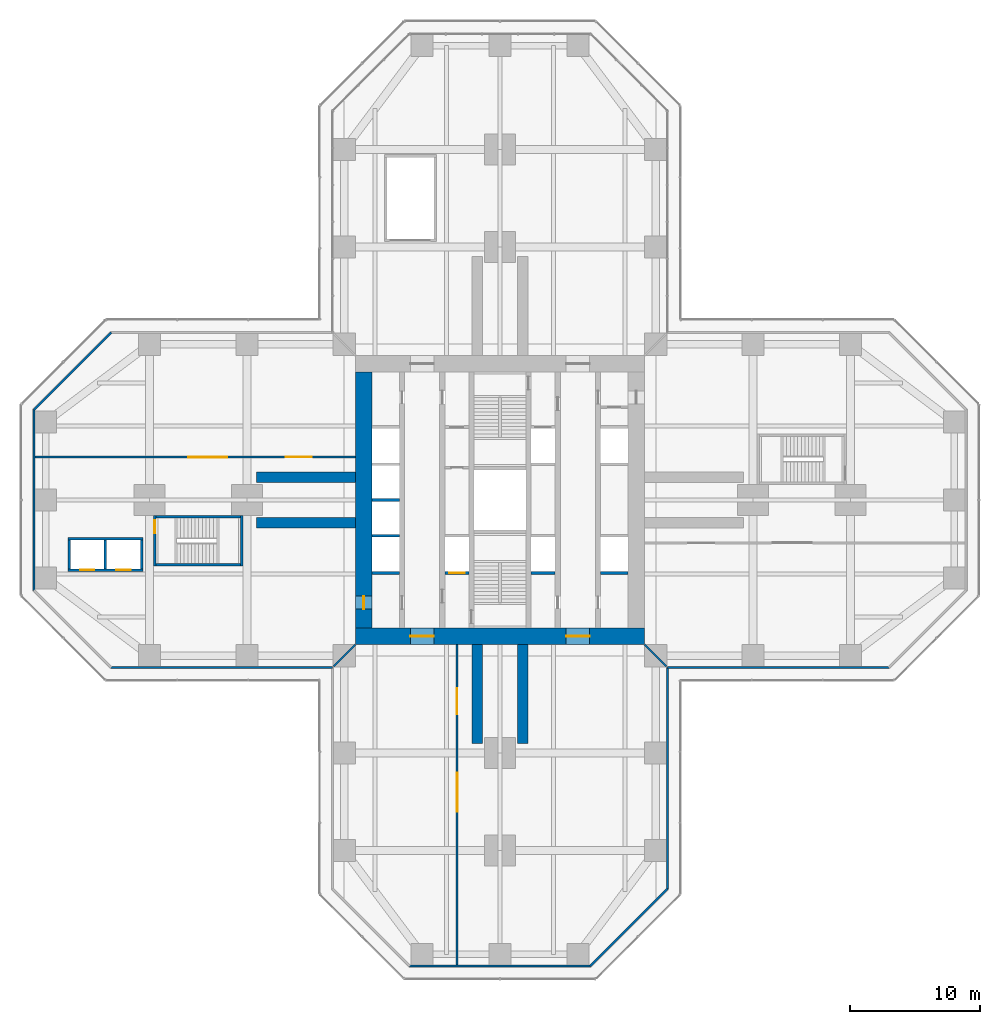
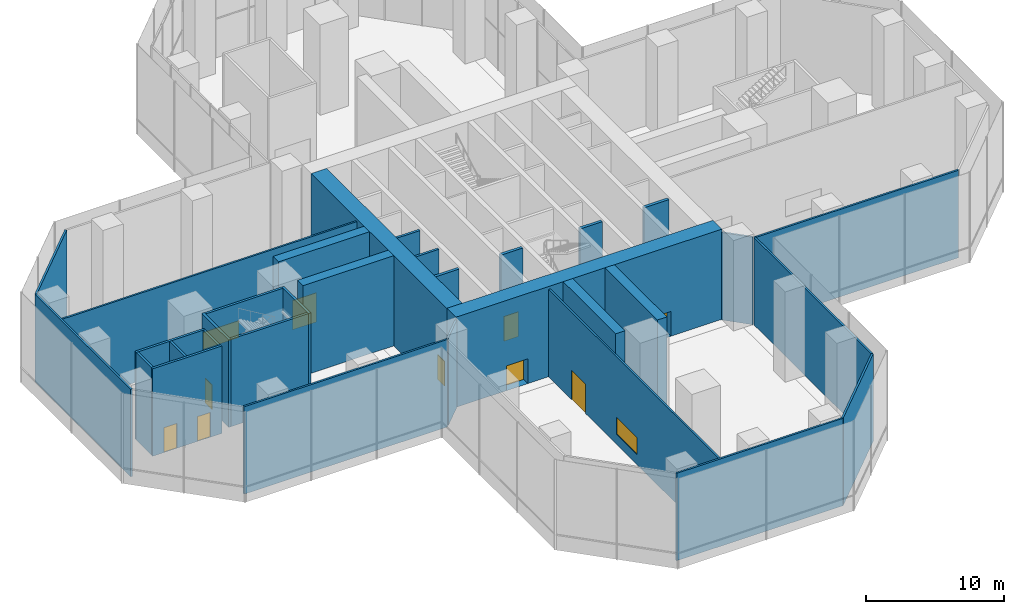
# One storey, part 17 of 25: 32 walls, 9 doors, 2 windows, 11 openings.
"""IFC4 building model written with IfcOpenShell, lengths in metres."""

from ifc_helpers import new_model, si_unit, direction, frame, frame_2d, origin, place, context, subcontext, project, spatial, rectangle, extrude, material, layer, layer_set, type_object, element, fill, save


model = new_model("IFC4")

# Units and contexts
model_context = context("Model", 3, precision=1e-05, world=origin(), true_north=direction((0.0, 1.0)))
body_context = subcontext(model_context, "Body", "Model", "MODEL_VIEW")
ifc_project = project(units=[si_unit("LENGTHUNIT", "METRE"), si_unit("AREAUNIT", "SQUARE_METRE"), si_unit("VOLUMEUNIT", "CUBIC_METRE"), si_unit("PLANEANGLEUNIT", "RADIAN"), si_unit("MASSUNIT", "GRAM", prefix="KILO")], contexts=[model_context])

# Site, building, storey
site_placement = place(None, origin())
site = spatial("IfcSite", under=ifc_project, at=site_placement, CompositionType="ELEMENT")
building_placement = place(site_placement, origin())
building = spatial("IfcBuilding", under=site, at=building_placement, Name="Mizan Broadcast Tower", CompositionType="ELEMENT")
storey_placement = place(building_placement, frame((0.0, 0.0, 7.0)))
storey = spatial("IfcBuildingStorey", under=building, at=storey_placement, Name="L01", CompositionType="ELEMENT", Elevation=7.0)

# Wall, openings, doors
ifc_material_1 = material(Name="Concrete C70/85", Category="concrete")
ifc_layer_1 = layer(ifc_material_1, 1.300048828125)
ifc_layer_set_1 = layer_set([ifc_layer_1], Name="Concrete C70/85")
wall_type_1 = type_object("IfcWallType", Name="CORE WALL 1300", PredefinedType="SHEAR", material=ifc_layer_set_1)
wall_1_placement = place(storey_placement, frame((11.14990234375, -10.5, 0.0), z_axis=(0.0, 0.0, 1.0), x_axis=(-1.0, 0.0, 0.0)))
wall_1 = element("IfcWall", 1, at=wall_1_placement, inside=storey, type_object=wall_type_1, Name="Core wall S L01", PredefinedType="SHEAR", context=body_context, shape_type="SweptSolid", body=[
    extrude(rectangle(XDim=22.2998046875, YDim=1.300048828125, at=frame_2d((11.14990234375, 0.0))), origin(), (0.0, 0.0, 1.0), 8.0),
])
opening_1_placement = place(wall_1_placement, frame((16.25, 0.0, 0.0)))
opening_1 = element("IfcOpeningElement", 2, at=opening_1_placement, cuts=wall_1, Name="Opening D18F", PredefinedType="OPENING", context=body_context, shape_type="SweptSolid", body=[
    extrude(rectangle(XDim=1.800048828125, YDim=2.199951171875, at=frame_2d((0.89990234375, 1.10009765625))), frame((0.0, 0.659912109375, 0.0), z_axis=(0.0, -1.0, 0.0), x_axis=(1.0, 0.0, 0.0)), (0.0, 0.0, 1.0), 1.320068359375),
])
opening_2_placement = place(wall_1_placement, frame((4.25, 0.0, 0.0)))
opening_2 = element("IfcOpeningElement", 3, at=opening_2_placement, cuts=wall_1, Name="Opening D18F", PredefinedType="OPENING", context=body_context, shape_type="SweptSolid", body=[
    extrude(rectangle(XDim=1.800048828125, YDim=2.199951171875, at=frame_2d((0.89990234375, 1.10009765625))), frame((0.0, 0.659912109375, 0.0), z_axis=(0.0, -1.0, 0.0), x_axis=(1.0, 0.0, 0.0)), (0.0, 0.0, 1.0), 1.320068359375),
])
ifc_material_2 = material(Name="Steel door leaf in steel frame", Category="steel")
door_type_1 = type_object("IfcDoorType", Name="LOBBY DOUBLE DOOR 1800 FD90", OperationType="DOUBLE_DOOR_DOUBLE_SWING", PredefinedType="DOOR", material=ifc_material_2)
door_1_placement = place(opening_1_placement, origin())
door_1 = element("IfcDoor", 4, at=door_1_placement, inside=storey, type_object=door_type_1, Name="West lift lobby south door", OperationType="DOUBLE_DOOR_DOUBLE_SWING", OverallHeight=2.199951171875, OverallWidth=1.800048828125, PredefinedType="DOOR", context=body_context, shape_type="SweptSolid", body=[
    extrude(rectangle(XDim=1.800048828125, YDim=2.199951171875, at=frame_2d((0.89990234375, 1.10009765625))), frame((0.0, 0.02490234375, 0.0), z_axis=(0.0, -1.0, 0.0), x_axis=(1.0, 0.0, 0.0)), (0.0, 0.0, 1.0), 0.050048828125),
])
fill(opening_1, door_1)
door_2_placement = place(opening_2_placement, origin())
door_2 = element("IfcDoor", 5, at=door_2_placement, inside=storey, type_object=door_type_1, Name="East lift lobby south door", OperationType="DOUBLE_DOOR_DOUBLE_SWING", OverallHeight=2.199951171875, OverallWidth=1.800048828125, PredefinedType="DOOR", context=body_context, shape_type="SweptSolid", body=[
    extrude(rectangle(XDim=1.800048828125, YDim=2.199951171875, at=frame_2d((0.89990234375, 1.10009765625))), frame((0.0, 0.02490234375, 0.0), z_axis=(0.0, -1.0, 0.0), x_axis=(1.0, 0.0, 0.0)), (0.0, 0.0, 1.0), 0.050048828125),
])
fill(opening_2, door_2)

# Wall, opening, door
wall_2_placement = place(storey_placement, frame((-10.5, 9.85009765625, 0.0), z_axis=(0.0, 0.0, 1.0), x_axis=(0.0, -1.0, 0.0)))
wall_2 = element("IfcWall", 6, at=wall_2_placement, inside=storey, type_object=wall_type_1, Name="Core wall W L01", PredefinedType="SHEAR", context=body_context, shape_type="SweptSolid", body=[
    extrude(rectangle(XDim=19.7001953125, YDim=1.300048828125, at=frame_2d((9.85009765625, 0.0))), origin(), (0.0, 0.0, 1.0), 8.0),
])
opening_3_placement = place(wall_2_placement, frame((17.25, 0.0, 0.0)))
opening_3 = element("IfcOpeningElement", 7, at=opening_3_placement, cuts=wall_2, Name="Opening D10F", PredefinedType="OPENING", context=body_context, shape_type="SweptSolid", body=[
    extrude(rectangle(XDim=1.0, YDim=2.199951171875, at=frame_2d((0.5, 1.10009765625))), frame((0.0, 0.659912109375, 0.0), z_axis=(0.0, -1.0, 0.0), x_axis=(1.0, 0.0, 0.0)), (0.0, 0.0, 1.0), 1.320068359375),
])
ifc_material_3 = material(Name="Steel door leaf in steel frame", Category="steel")
door_type_2 = type_object("IfcDoorType", Name="FIRE DOOR 1000 FD90", OperationType="SINGLE_SWING_LEFT", PredefinedType="DOOR", material=ifc_material_3)
door_3_placement = place(opening_3_placement, origin())
door_3 = element("IfcDoor", 8, at=door_3_placement, inside=storey, type_object=door_type_2, Name="West core passage arm door", OperationType="SINGLE_SWING_RIGHT", OverallHeight=2.199951171875, OverallWidth=1.0, PredefinedType="DOOR", context=body_context, shape_type="SweptSolid", body=[
    extrude(rectangle(XDim=1.0, YDim=2.199951171875, at=frame_2d((0.5, 1.10009765625))), frame((0.0, 0.02490234375, 0.0), z_axis=(0.0, -1.0, 0.0), x_axis=(1.0, 0.0, 0.0)), (0.0, 0.0, 1.0), 0.050048828125),
])
fill(opening_3, door_3)

# Walls
ifc_material_4 = material(Name="Concrete blockwork", Category="masonry")
ifc_layer_2 = layer(ifc_material_4, 0.199951171875)
ifc_layer_set_2 = layer_set([ifc_layer_2], Name="Concrete blockwork")
wall_type_2 = type_object("IfcWallType", Name="LIFT SHAFT WALL 200", PredefinedType="SOLIDWALL", material=ifc_layer_set_2)
for number, where, z_axis, x_axis, name in (
    (9, (-9.85009765625, -2.75, 0.0), (0.0, 0.0, 1.0), (1.0, 0.0, 0.0), "Lift shaft wall CORE/SW1-1"),
    (10, (-9.85009765625, 0.0, 0.0), (0.0, 0.0, 1.0), (1.0, 0.0, 0.0), "Lift shaft wall CORE/SW1-2"),
):
    element("IfcWall", number, at=place(storey_placement, frame(where, z_axis=z_axis, x_axis=x_axis)), inside=storey, type_object=wall_type_2, Name=name, PredefinedType="SOLIDWALL", context=body_context, shape_type="SweptSolid", body=[
        extrude(rectangle(XDim=2.10009765625, YDim=0.199951171875, at=frame_2d((1.050048828125, 0.0))), origin(), (0.0, 0.0, 1.0), 7.800048828125),
    ])
wall_3_placement = place(storey_placement, frame((-27.5, -3.0, 0.0), z_axis=(0.0, 0.0, 1.0), x_axis=(-1.0, 0.0, 0.0)))
element("IfcWall", 11, at=wall_3_placement, inside=storey, type_object=wall_type_2, Name="Lift shaft wall PLS/V0", PredefinedType="SOLIDWALL", context=body_context, shape_type="SweptSolid", body=[
    extrude(rectangle(XDim=5.800048828125, YDim=0.199951171875, at=frame_2d((2.89990234375, 0.0))), origin(), (0.0, 0.0, 1.0), 7.75),
])

# Wall, openings, doors
wall_4_placement = place(storey_placement, frame((-33.300048828125, -5.39990234375, 0.0), z_axis=(0.0, 0.0, 1.0), x_axis=(1.0, 0.0, 0.0)))
wall_4 = element("IfcWall", 12, at=wall_4_placement, inside=storey, type_object=wall_type_2, Name="Lift shaft wall PLS/V1", PredefinedType="SOLIDWALL", context=body_context, shape_type="SweptSolid", body=[
    extrude(rectangle(XDim=5.800048828125, YDim=0.199951171875, at=frame_2d((2.89990234375, 0.0))), origin(), (0.0, 0.0, 1.0), 7.75),
])
opening_4_placement = place(wall_4_placement, frame((3.75, 0.0, 0.0)))
opening_4 = element("IfcOpeningElement", 13, at=opening_4_placement, cuts=wall_4, Name="Opening LDP", PredefinedType="OPENING", context=body_context, shape_type="SweptSolid", body=[
    extrude(rectangle(XDim=1.10009765625, YDim=2.199951171875, at=frame_2d((0.550048828125, 1.10009765625))), frame((0.0, 0.10986328125, 0.0), z_axis=(0.0, -1.0, 0.0), x_axis=(1.0, 0.0, 0.0)), (0.0, 0.0, 1.0), 0.219970703125),
])
opening_5_placement = place(wall_4_placement, frame((0.949951171875, 0.0, 0.0)))
opening_5 = element("IfcOpeningElement", 14, at=opening_5_placement, cuts=wall_4, Name="Opening LDP", PredefinedType="OPENING", context=body_context, shape_type="SweptSolid", body=[
    extrude(rectangle(XDim=1.10009765625, YDim=2.199951171875, at=frame_2d((0.550048828125, 1.10009765625))), frame((0.0, 0.10986328125, 0.0), z_axis=(0.0, -1.0, 0.0), x_axis=(1.0, 0.0, 0.0)), (0.0, 0.0, 1.0), 0.219970703125),
])
ifc_material_5 = material(Name="Steel door leaf in steel frame", Category="steel")
door_type_3 = type_object("IfcDoorType", Name="PODIUM LIFT LANDING DOOR 1100", OperationType="SLIDING_TO_LEFT", PredefinedType="DOOR", material=ifc_material_5)
door_4_placement = place(opening_4_placement, origin())
door_4 = element("IfcDoor", 15, at=door_4_placement, inside=storey, type_object=door_type_3, Name="Landing door PL1", OperationType="SLIDING_TO_LEFT", OverallHeight=2.199951171875, OverallWidth=1.10009765625, PredefinedType="DOOR", context=body_context, shape_type="SweptSolid", body=[
    extrude(rectangle(XDim=1.10009765625, YDim=2.199951171875, at=frame_2d((0.550048828125, 1.10009765625))), frame((0.0, 0.02490234375, 0.0), z_axis=(0.0, -1.0, 0.0), x_axis=(1.0, 0.0, 0.0)), (0.0, 0.0, 1.0), 0.050048828125),
])
fill(opening_4, door_4)
door_5_placement = place(opening_5_placement, origin())
door_5 = element("IfcDoor", 16, at=door_5_placement, inside=storey, type_object=door_type_3, Name="Landing door PL2", OperationType="SLIDING_TO_LEFT", OverallHeight=2.199951171875, OverallWidth=1.10009765625, PredefinedType="DOOR", context=body_context, shape_type="SweptSolid", body=[
    extrude(rectangle(XDim=1.10009765625, YDim=2.199951171875, at=frame_2d((0.550048828125, 1.10009765625))), frame((0.0, 0.02490234375, 0.0), z_axis=(0.0, -1.0, 0.0), x_axis=(1.0, 0.0, 0.0)), (0.0, 0.0, 1.0), 0.050048828125),
])
fill(opening_5, door_5)

# Walls
for number, where, z_axis, x_axis, name in (
    (17, (-27.60009765625, -3.10009765625, 0.0), (0.0, 0.0, 1.0), (0.0, -1.0, 0.0), "Lift shaft wall PLS/U0"),
    (18, (-30.39990234375, -3.10009765625, 0.0), (0.0, 0.0, 1.0), (0.0, -1.0, 0.0), "Lift shaft wall PLS/U1"),
    (19, (-33.199951171875, -3.10009765625, 0.0), (0.0, 0.0, 1.0), (0.0, -1.0, 0.0), "Lift shaft wall PLS/U2"),
):
    element("IfcWall", number, at=place(storey_placement, frame(where, z_axis=z_axis, x_axis=x_axis)), inside=storey, type_object=wall_type_2, Name=name, PredefinedType="SOLIDWALL", context=body_context, shape_type="SweptSolid", body=[
        extrude(rectangle(XDim=2.199951171875, YDim=0.199951171875, at=frame_2d((1.10009765625, 0.0))), origin(), (0.0, 0.0, 1.0), 7.75),
    ])
ifc_material_6 = material(Name="Concrete blockwork", Category="masonry")
ifc_layer_3 = layer(ifc_material_6, 0.25)
ifc_layer_set_3 = layer_set([ifc_layer_3], Name="Concrete blockwork")
wall_type_3 = type_object("IfcWallType", Name="LOBBY ENCLOSURE WALL 250", PredefinedType="SOLIDWALL", material=ifc_layer_set_3)
wall_5_placement = place(storey_placement, frame((-9.85009765625, -5.625, 0.0), z_axis=(0.0, 0.0, 1.0), x_axis=(1.0, 0.0, 0.0)))
element("IfcWall", 20, at=wall_5_placement, inside=storey, type_object=wall_type_3, Name="Lobby enclosure wall CORE/BW1S", PredefinedType="SOLIDWALL", context=body_context, shape_type="SweptSolid", body=[
    extrude(rectangle(XDim=2.10009765625, YDim=0.25, at=frame_2d((1.050048828125, 0.0))), origin(), (0.0, 0.0, 1.0), 7.800048828125),
])

# Wall, opening, door
wall_6_placement = place(storey_placement, frame((-4.25, -5.625, 0.0), z_axis=(0.0, 0.0, 1.0), x_axis=(1.0, 0.0, 0.0)))
wall_6 = element("IfcWall", 21, at=wall_6_placement, inside=storey, type_object=wall_type_3, Name="Lobby enclosure wall CORE/BW2S", PredefinedType="SOLIDWALL", context=body_context, shape_type="SweptSolid", body=[
    extrude(rectangle(XDim=1.85009765625, YDim=0.25, at=frame_2d((0.925048828125, 0.0))), origin(), (0.0, 0.0, 1.0), 7.800048828125),
])
opening_6_placement = place(wall_6_placement, frame((0.324951171875, 0.0, 0.0)))
opening_6 = element("IfcOpeningElement", 22, at=opening_6_placement, cuts=wall_6, Name="Opening LDF", PredefinedType="OPENING", context=body_context, shape_type="SweptSolid", body=[
    extrude(rectangle(XDim=1.199951171875, YDim=2.199951171875, at=frame_2d((0.60009765625, 1.10009765625))), frame((0.0, 0.135009765625, 0.0), z_axis=(0.0, -1.0, 0.0), x_axis=(1.0, 0.0, 0.0)), (0.0, 0.0, 1.0), 0.27001953125),
])
ifc_material_7 = material(Name="Steel door leaf in steel frame", Category="steel")
door_type_4 = type_object("IfcDoorType", Name="FIREFIGHTING LIFT LANDING DOOR 1200", OperationType="SLIDING_TO_LEFT", PredefinedType="DOOR", material=ifc_material_7)
door_6_placement = place(opening_6_placement, origin())
door_6 = element("IfcDoor", 23, at=door_6_placement, inside=storey, type_object=door_type_4, Name="Landing door FF1", OperationType="SLIDING_TO_LEFT", OverallHeight=2.199951171875, OverallWidth=1.199951171875, PredefinedType="DOOR", context=body_context, shape_type="SweptSolid", body=[
    extrude(rectangle(XDim=1.199951171875, YDim=2.199951171875, at=frame_2d((0.60009765625, 1.10009765625))), frame((0.0, 0.02490234375, 0.0), z_axis=(0.0, -1.0, 0.0), x_axis=(1.0, 0.0, 0.0)), (0.0, 0.0, 1.0), 0.050048828125),
])
fill(opening_6, door_6)

# Walls
wall_7_placement = place(storey_placement, frame((2.39990234375, -5.625, 0.0), z_axis=(0.0, 0.0, 1.0), x_axis=(1.0, 0.0, 0.0)))
element("IfcWall", 24, at=wall_7_placement, inside=storey, type_object=wall_type_3, Name="Lobby enclosure wall CORE/BE2S", PredefinedType="SOLIDWALL", context=body_context, shape_type="SweptSolid", body=[
    extrude(rectangle(XDim=1.85009765625, YDim=0.25, at=frame_2d((0.925048828125, 0.0))), origin(), (0.0, 0.0, 1.0), 7.800048828125),
])
wall_8_placement = place(storey_placement, frame((7.75, -5.625, 0.0), z_axis=(0.0, 0.0, 1.0), x_axis=(1.0, 0.0, 0.0)))
element("IfcWall", 25, at=wall_8_placement, inside=storey, type_object=wall_type_3, Name="Lobby enclosure wall CORE/BE1S", PredefinedType="SOLIDWALL", context=body_context, shape_type="SweptSolid", body=[
    extrude(rectangle(XDim=2.10009765625, YDim=0.25, at=frame_2d((1.050048828125, 0.0))), origin(), (0.0, 0.0, 1.0), 7.800048828125),
])

# Wall, openings, door, window
ifc_material_8 = material(Name="Gypsum board on steel studs", Category="steel")
ifc_layer_4 = layer(ifc_material_8, 0.14990234375)
ifc_layer_set_4 = layer_set([ifc_layer_4], Name="Gypsum board on steel studs")
wall_type_4 = type_object("IfcWallType", Name="PARTITION 150", PredefinedType="PARTITIONING", material=ifc_layer_set_4)
wall_9_placement = place(storey_placement, frame((-11.14990234375, 3.300048828125, 0.0), z_axis=(0.0, 0.0, 1.0), x_axis=(-1.0, 0.0, 0.0)))
wall_9 = element("IfcWall", 26, at=wall_9_placement, inside=storey, type_object=wall_type_4, Name="Partition PT/WS", PredefinedType="PARTITIONING", context=body_context, shape_type="SweptSolid", body=[
    extrude(rectangle(XDim=24.670166015625, YDim=0.14990234375, at=frame_2d((12.3349609375, 0.0))), origin(), (0.0, 0.0, 1.0), 7.75),
])
opening_7_placement = place(wall_9_placement, frame((3.35009765625, 0.0, 0.0)))
opening_7 = element("IfcOpeningElement", 27, at=opening_7_placement, cuts=wall_9, Name="Opening D20", PredefinedType="OPENING", context=body_context, shape_type="SweptSolid", body=[
    extrude(rectangle(XDim=2.0, YDim=2.60009765625, at=frame_2d((1.0, 1.300048828125))), frame((0.0, 0.0849609375, 0.0), z_axis=(0.0, -1.0, 0.0), x_axis=(1.0, 0.0, 0.0)), (0.0, 0.0, 1.0), 0.169921875),
])
opening_8_placement = place(wall_9_placement, frame((9.85009765625, 0.0, 0.89990234375)))
opening_8 = element("IfcOpeningElement", 28, at=opening_8_placement, cuts=wall_9, Name="Opening W01", PredefinedType="OPENING", context=body_context, shape_type="SweptSolid", body=[
    extrude(rectangle(XDim=3.0, YDim=1.5, at=frame_2d((1.5, 0.75))), frame((0.0, 0.0849609375, 0.0), z_axis=(0.0, -1.0, 0.0), x_axis=(1.0, 0.0, 0.0)), (0.0, 0.0, 1.0), 0.169921875),
])
ifc_material_9 = material(Name="Timber door leaf in aluminium frame", Category="wood")
door_type_5 = type_object("IfcDoorType", Name="STUDIO DOUBLE DOOR 2000", OperationType="DOUBLE_DOOR_DOUBLE_SWING", PredefinedType="DOOR", material=ifc_material_9)
door_7_placement = place(opening_7_placement, origin())
door_7 = element("IfcDoor", 29, at=door_7_placement, inside=storey, type_object=door_type_5, Name="Studio B door", OperationType="DOUBLE_DOOR_DOUBLE_SWING", OverallHeight=2.60009765625, OverallWidth=2.0, PredefinedType="DOOR", context=body_context, shape_type="SweptSolid", body=[
    extrude(rectangle(XDim=2.0, YDim=2.60009765625, at=frame_2d((1.0, 1.300048828125))), frame((0.0, 0.02490234375, 0.0), z_axis=(0.0, -1.0, 0.0), x_axis=(1.0, 0.0, 0.0)), (0.0, 0.0, 1.0), 0.050048828125),
])
fill(opening_7, door_7)
ifc_material_10 = material(Name="Acoustic laminated triple glazing in steel frame", Category="steel")
window_type = type_object("IfcWindowType", Name="STUDIO OBSERVATION WINDOW 3000x1500", PartitioningType="SINGLE_PANEL", PredefinedType="WINDOW", material=ifc_material_10)
window_1_placement = place(opening_8_placement, origin())
window_1 = element("IfcWindow", 30, at=window_1_placement, inside=storey, type_object=window_type, Name="Studio B observation window", OverallHeight=1.5, OverallWidth=3.0, PartitioningType="SINGLE_PANEL", PredefinedType="WINDOW", context=body_context, shape_type="SweptSolid", body=[
    extrude(rectangle(XDim=3.0, YDim=1.5, at=frame_2d((1.5, 0.75))), frame((0.0, 0.030029296875, 0.0), z_axis=(0.0, -1.0, 0.0), x_axis=(1.0, 0.0, 0.0)), (0.0, 0.0, 1.0), 0.06005859375),
])
fill(opening_8, window_1)

wall_10_placement = place(storey_placement, frame((-3.300048828125, -11.14990234375, 0.0), z_axis=(0.0, 0.0, 1.0), x_axis=(0.0, -1.0, 0.0)))
wall_10 = element("IfcWall", 31, at=wall_10_placement, inside=storey, type_object=wall_type_4, Name="Partition PT/SS", PredefinedType="PARTITIONING", context=body_context, shape_type="SweptSolid", body=[
    extrude(rectangle(XDim=24.670166015625, YDim=0.14990234375, at=frame_2d((12.3349609375, 0.0))), origin(), (0.0, 0.0, 1.0), 7.75),
])
opening_9_placement = place(wall_10_placement, frame((3.35009765625, 0.0, 0.0)))
opening_9 = element("IfcOpeningElement", 32, at=opening_9_placement, cuts=wall_10, Name="Opening D20", PredefinedType="OPENING", context=body_context, shape_type="SweptSolid", body=[
    extrude(rectangle(XDim=2.0, YDim=2.60009765625, at=frame_2d((1.0, 1.300048828125))), frame((0.0, 0.0849609375, 0.0), z_axis=(0.0, -1.0, 0.0), x_axis=(1.0, 0.0, 0.0)), (0.0, 0.0, 1.0), 0.169921875),
])
opening_10_placement = place(wall_10_placement, frame((9.85009765625, 0.0, 0.89990234375)))
opening_10 = element("IfcOpeningElement", 33, at=opening_10_placement, cuts=wall_10, Name="Opening W01", PredefinedType="OPENING", context=body_context, shape_type="SweptSolid", body=[
    extrude(rectangle(XDim=3.0, YDim=1.5, at=frame_2d((1.5, 0.75))), frame((0.0, 0.0849609375, 0.0), z_axis=(0.0, -1.0, 0.0), x_axis=(1.0, 0.0, 0.0)), (0.0, 0.0, 1.0), 0.169921875),
])
door_8_placement = place(opening_9_placement, origin())
door_8 = element("IfcDoor", 34, at=door_8_placement, inside=storey, type_object=door_type_5, Name="News studio C door", OperationType="DOUBLE_DOOR_DOUBLE_SWING", OverallHeight=2.60009765625, OverallWidth=2.0, PredefinedType="DOOR", context=body_context, shape_type="SweptSolid", body=[
    extrude(rectangle(XDim=2.0, YDim=2.60009765625, at=frame_2d((1.0, 1.300048828125))), frame((0.0, 0.02490234375, 0.0), z_axis=(0.0, -1.0, 0.0), x_axis=(1.0, 0.0, 0.0)), (0.0, 0.0, 1.0), 0.050048828125),
])
fill(opening_9, door_8)
window_2_placement = place(opening_10_placement, origin())
window_2 = element("IfcWindow", 35, at=window_2_placement, inside=storey, type_object=window_type, Name="News studio C observation window", OverallHeight=1.5, OverallWidth=3.0, PartitioningType="SINGLE_PANEL", PredefinedType="WINDOW", context=body_context, shape_type="SweptSolid", body=[
    extrude(rectangle(XDim=3.0, YDim=1.5, at=frame_2d((1.5, 0.75))), frame((0.0, 0.030029296875, 0.0), z_axis=(0.0, -1.0, 0.0), x_axis=(1.0, 0.0, 0.0)), (0.0, 0.0, 1.0), 0.06005859375),
])
fill(opening_10, window_2)

# Walls
for number, where, z_axis, x_axis, name in (
    (36, (-11.14990234375, -11.14990234375, 0.0), (0.0, 0.0, 1.0), (-0.707106781187, -0.707106781187, 0.0), "Partition PT/DGWS"),
    (37, (11.14990234375, -11.14990234375, 0.0), (0.0, 0.0, 1.0), (0.707106781187, -0.707106781187, 0.0), "Partition PT/DGES"),
):
    element("IfcWall", number, at=place(storey_placement, frame(where, z_axis=z_axis, x_axis=x_axis)), inside=storey, type_object=wall_type_4, Name=name, PredefinedType="PARTITIONING", context=body_context, shape_type="SweptSolid", body=[
        extrude(rectangle(XDim=2.362060546875, YDim=0.14990234375, at=frame_2d((1.18115234375, 0.0))), origin(), (0.0, 0.0, 1.0), 7.75),
    ])
ifc_material_11 = material(Name="Concrete C70/85", Category="concrete")
ifc_layer_5 = layer(ifc_material_11, 0.800048828125)
ifc_layer_set_5 = layer_set([ifc_layer_5], Name="Concrete C70/85")
wall_type_5 = type_object("IfcWallType", Name="SPINE WALL 800", PredefinedType="SHEAR", material=ifc_layer_set_5)
for number, where, z_axis, x_axis, name in (
    (38, (-11.14990234375, 1.75, 0.0), (0.0, 0.0, 1.0), (-1.0, 0.0, 0.0), "Spine wall WR L01"),
    (39, (-11.14990234375, -1.75, 0.0), (0.0, 0.0, 1.0), (-1.0, 0.0, 0.0), "Spine wall WL L01"),
    (40, (-1.75, -11.14990234375, 0.0), (0.0, 0.0, 1.0), (0.0, -1.0, 0.0), "Spine wall SR L01"),
    (41, (1.75, -11.14990234375, 0.0), (0.0, 0.0, 1.0), (0.0, -1.0, 0.0), "Spine wall SL L01"),
):
    element("IfcWall", number, at=place(storey_placement, frame(where, z_axis=z_axis, x_axis=x_axis)), inside=storey, type_object=wall_type_5, Name=name, PredefinedType="SHEAR", context=body_context, shape_type="SweptSolid", body=[
        extrude(rectangle(XDim=7.625, YDim=0.800048828125, at=frame_2d((3.8125, 0.0))), origin(), (0.0, 0.0, 1.0), 8.0),
    ])
ifc_material_12 = material(Name="Concrete C40/50", Category="concrete")
ifc_layer_6 = layer(ifc_material_12, 0.199951171875)
ifc_layer_set_6 = layer_set([ifc_layer_6], Name="Concrete C40/50")
wall_type_6 = type_object("IfcWallType", Name="STAIR SHAFT WALL 200 RC", PredefinedType="SOLIDWALL", material=ifc_layer_set_6)
wall_11_placement = place(storey_placement, frame((-19.89990234375, -1.199951171875, 0.0), z_axis=(0.0, 0.0, 1.0), x_axis=(0.0, -1.0, 0.0)))
element("IfcWall", 42, at=wall_11_placement, inside=storey, type_object=wall_type_6, Name="Stair shaft wall PS/W/U0", PredefinedType="SOLIDWALL", context=body_context, shape_type="SweptSolid", body=[
    extrude(rectangle(XDim=3.900146484375, YDim=0.199951171875, at=frame_2d((1.9501953125, 0.0))), origin(), (0.0, 0.0, 1.0), 7.75),
])

# Wall, opening, door
wall_12_placement = place(storey_placement, frame((-26.60009765625, -5.10009765625, 0.0), z_axis=(0.0, 0.0, 1.0), x_axis=(0.0, 1.0, 0.0)))
wall_12 = element("IfcWall", 43, at=wall_12_placement, inside=storey, type_object=wall_type_6, Name="Stair shaft wall PS/W/U1", PredefinedType="SOLIDWALL", context=body_context, shape_type="SweptSolid", body=[
    extrude(rectangle(XDim=3.900146484375, YDim=0.199951171875, at=frame_2d((1.9501953125, 0.0))), origin(), (0.0, 0.0, 1.0), 7.75),
])
opening_11_placement = place(wall_12_placement, frame((2.550048828125, 0.0, 0.0)))
opening_11 = element("IfcOpeningElement", 44, at=opening_11_placement, cuts=wall_12, Name="Opening D10S", PredefinedType="OPENING", context=body_context, shape_type="SweptSolid", body=[
    extrude(rectangle(XDim=1.0, YDim=2.199951171875, at=frame_2d((0.5, 1.10009765625))), frame((0.0, 0.10986328125, 0.0), z_axis=(0.0, -1.0, 0.0), x_axis=(1.0, 0.0, 0.0)), (0.0, 0.0, 1.0), 0.219970703125),
])
ifc_material_13 = material(Name="Steel door leaf in steel frame", Category="steel")
door_type_6 = type_object("IfcDoorType", Name="STAIR DOOR 1000 FD90S", OperationType="SINGLE_SWING_RIGHT", PredefinedType="DOOR", material=ifc_material_13)
door_9_placement = place(opening_11_placement, origin())
door_9 = element("IfcDoor", 45, at=door_9_placement, inside=storey, type_object=door_type_6, Name="Stair D door", OperationType="SINGLE_SWING_RIGHT", OverallHeight=2.199951171875, OverallWidth=1.0, PredefinedType="DOOR", context=body_context, shape_type="SweptSolid", body=[
    extrude(rectangle(XDim=1.0, YDim=2.199951171875, at=frame_2d((0.5, 1.10009765625))), frame((0.0, 0.02490234375, 0.0), z_axis=(0.0, -1.0, 0.0), x_axis=(1.0, 0.0, 0.0)), (0.0, 0.0, 1.0), 0.050048828125),
])
fill(opening_11, door_9)

# Walls
for number, where, z_axis, x_axis, name in (
    (46, (-20.0, -1.300048828125, 0.0), (0.0, 0.0, 1.0), (-1.0, 0.0, 0.0), "Stair shaft wall PS/W/V0"),
    (47, (-26.5, -5.0, 0.0), (0.0, 0.0, 1.0), (1.0, 0.0, 0.0), "Stair shaft wall PS/W/V1"),
):
    element("IfcWall", number, at=place(storey_placement, frame(where, z_axis=z_axis, x_axis=x_axis)), inside=storey, type_object=wall_type_6, Name=name, PredefinedType="SOLIDWALL", context=body_context, shape_type="SweptSolid", body=[
        extrude(rectangle(XDim=6.5, YDim=0.199951171875, at=frame_2d((3.25, 0.0))), origin(), (0.0, 0.0, 1.0), 7.75),
    ])
ifc_material_14 = material(Name="Insulated aluminium panel wall", Category="aluminium")
ifc_layer_7 = layer(ifc_material_14, 0.159912109375)
ifc_layer_set_7 = layer_set([ifc_layer_7], Name="Insulated aluminium panel wall")
wall_type_7 = type_object("IfcWallType", Name="STUDIO CLADDING WALL 160", PredefinedType="SOLIDWALL", material=ifc_layer_set_7)
wall_13_placement = place(storey_placement, frame((12.89990234375, -12.89990234375, 0.0), z_axis=(0.0, 0.0, 1.0), x_axis=(1.0, 0.0, 0.0)))
element("IfcWall", 48, at=wall_13_placement, inside=storey, type_object=wall_type_7, Name="External wall L01 E side", PredefinedType="SOLIDWALL", context=body_context, shape_type="SweptSolid", body=[
    extrude(rectangle(XDim=17.05859375, YDim=0.159912109375, at=frame_2d((8.529296875, 0.0))), origin(), (0.0, 0.0, 1.0), 7.75),
])
wall_14_placement = place(storey_placement, frame((-29.95849609375, 12.89990234375, 0.0), z_axis=(0.0, 0.0, 1.0), x_axis=(-0.707106781187, -0.707106781187, 0.0)))
element("IfcWall", 49, at=wall_14_placement, inside=storey, type_object=wall_type_7, Name="External wall L01 W chamfer", PredefinedType="SOLIDWALL", context=body_context, shape_type="SweptSolid", body=[
    extrude(rectangle(XDim=8.40234375, YDim=0.159912109375, at=frame_2d((4.201171875, 0.0))), origin(), (0.0, 0.0, 1.0), 7.75),
])
wall_15_placement = place(storey_placement, frame((-35.89990234375, 6.95849609375, 0.0), z_axis=(0.0, 0.0, 1.0), x_axis=(0.0, -1.0, 0.0)))
element("IfcWall", 50, at=wall_15_placement, inside=storey, type_object=wall_type_7, Name="External wall L01 W end", PredefinedType="SOLIDWALL", context=body_context, shape_type="SweptSolid", body=[
    extrude(rectangle(XDim=13.9169921875, YDim=0.159912109375, at=frame_2d((6.95849609375, 0.0))), origin(), (0.0, 0.0, 1.0), 7.75),
])
wall_16_placement = place(storey_placement, frame((-29.95849609375, -12.89990234375, 0.0), z_axis=(0.0, 0.0, 1.0), x_axis=(1.0, 0.0, 0.0)))
element("IfcWall", 51, at=wall_16_placement, inside=storey, type_object=wall_type_7, Name="External wall L01 W side", PredefinedType="SOLIDWALL", context=body_context, shape_type="SweptSolid", body=[
    extrude(rectangle(XDim=17.05859375, YDim=0.159912109375, at=frame_2d((8.529296875, 0.0))), origin(), (0.0, 0.0, 1.0), 7.75),
])
wall_17_placement = place(storey_placement, frame((-6.95849609375, -35.89990234375, 0.0), z_axis=(0.0, 0.0, 1.0), x_axis=(1.0, 0.0, 0.0)))
element("IfcWall", 52, at=wall_17_placement, inside=storey, type_object=wall_type_7, Name="External wall L01 S end", PredefinedType="SOLIDWALL", context=body_context, shape_type="SweptSolid", body=[
    extrude(rectangle(XDim=13.9169921875, YDim=0.159912109375, at=frame_2d((6.95849609375, 0.0))), origin(), (0.0, 0.0, 1.0), 7.75),
])
wall_18_placement = place(storey_placement, frame((6.95849609375, -35.89990234375, 0.0), z_axis=(0.0, 0.0, 1.0), x_axis=(0.707106781187, 0.707106781187, 0.0)))
element("IfcWall", 53, at=wall_18_placement, inside=storey, type_object=wall_type_7, Name="External wall L01 S chamfer", PredefinedType="SOLIDWALL", context=body_context, shape_type="SweptSolid", body=[
    extrude(rectangle(XDim=8.40234375, YDim=0.159912109375, at=frame_2d((4.201171875, 0.0))), origin(), (0.0, 0.0, 1.0), 7.75),
])
wall_19_placement = place(storey_placement, frame((12.89990234375, -29.95849609375, 0.0), z_axis=(0.0, 0.0, 1.0), x_axis=(0.0, 1.0, 0.0)))
element("IfcWall", 54, at=wall_19_placement, inside=storey, type_object=wall_type_7, Name="External wall L01 S side", PredefinedType="SOLIDWALL", context=body_context, shape_type="SweptSolid", body=[
    extrude(rectangle(XDim=17.05859375, YDim=0.159912109375, at=frame_2d((8.529296875, 0.0))), origin(), (0.0, 0.0, 1.0), 7.75),
])

save(model, "model.ifc")
